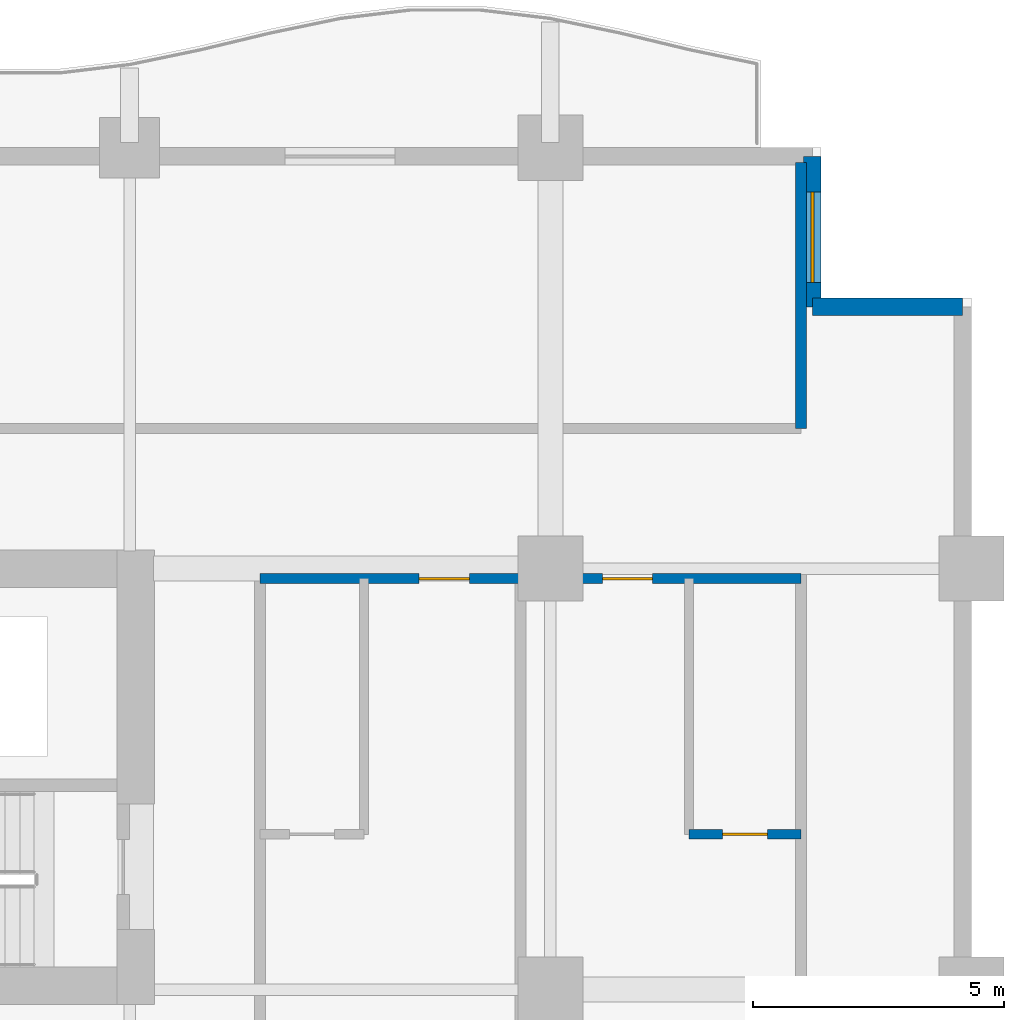
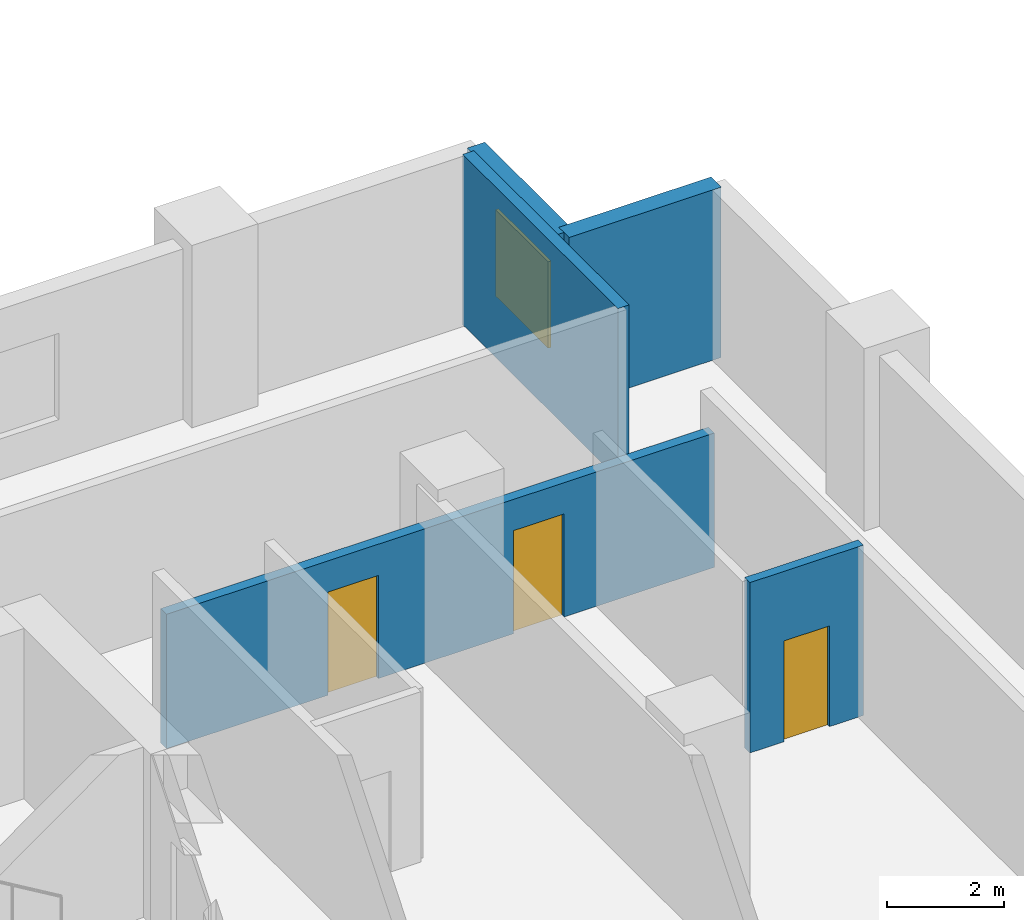
# One storey, part 10 of 18: 5 walls, 3 doors, 1 window, 4 openings.
"""IFC4 building model written with IfcOpenShell, lengths in metres."""

import ifcopenshell
import ifcopenshell.guid

model = None  # the IFC model being written
_history = None  # IfcOwnerHistory: only IFC2X3 demands one
_inside = {}  # id of a spatial element -> (the spatial element, [elements in it])
_under = {}  # id of a project, library or spatial element -> (it, [spatial elements below it])
_declared = {}  # id of a project -> (the project, [libraries it declares])
_typed = {}  # id of a type object -> (the type object, [elements of that type])
_made_of = {}  # id of a material, layer set ... -> (it, [elements and type objects made of it])


def new_model(schema):
    """Start an empty IFC model of exactly this schema.

    Asked for "IFC4X3", IfcOpenShell would pick the latest addendum, in which some entities
    have other attributes; the version numbers below select the first issue.
    IFC2X3 requires an IfcOwnerHistory on every rooted entity: one is made here for all.
    """
    global model, _history
    if schema == "IFC4X3":
        model = ifcopenshell.file(schema_version=(4, 3, 0, 0))
    else:
        model = ifcopenshell.file(schema=schema)
    _inside.clear()
    _under.clear()
    _declared.clear()
    _typed.clear()
    _made_of.clear()
    _history = None
    if model.schema == "IFC2X3":
        org = make("IfcOrganization", Name="unknown")
        user = make(
            "IfcPersonAndOrganization",
            ThePerson=make("IfcPerson", FamilyName="unknown"),
            TheOrganization=org,
        )
        app = make(
            "IfcApplication",
            ApplicationDeveloper=org,
            Version="unknown",
            ApplicationFullName="unknown",
            ApplicationIdentifier="unknown",
        )
        _history = make(
            "IfcOwnerHistory",
            OwningUser=user,
            OwningApplication=app,
            ChangeAction="ADDED",
            CreationDate=0,
        )
    return model


def make(cls, **values):
    """One entity of the class cls with the attributes given. An attribute that is None is left unset."""
    return model.create_entity(
        cls, **{name: value for name, value in values.items() if value is not None}
    )


def rooted(cls, **values):
    """An entity with a GlobalId (a new one), such as an element, a storey or a relation."""
    return make(cls, GlobalId=ifcopenshell.guid.new(), OwnerHistory=_history, **values)


def si_unit(unit_type, name, prefix=None):
    """IfcSIUnit, for example si_unit("LENGTHUNIT", "METRE", prefix="MILLI")."""
    return make("IfcSIUnit", UnitType=unit_type, Prefix=prefix, Name=name)


def assignment(units):
    """IfcUnitAssignment: the units of a project."""
    return None if units is None else make("IfcUnitAssignment", Units=units)


def point(xyz):
    """IfcCartesianPoint."""
    return None if xyz is None else make("IfcCartesianPoint", Coordinates=xyz)


def direction(xyz):
    """IfcDirection."""
    return None if xyz is None else make("IfcDirection", DirectionRatios=xyz)


def frame(location, z_axis=None, x_axis=None):
    """IfcAxis2Placement3D, a coordinate frame: its origin and axes. An axis left out is left unset."""
    return make(
        "IfcAxis2Placement3D",
        Location=point(location),
        Axis=direction(z_axis),
        RefDirection=direction(x_axis),
    )


def frame_2d(location, x_axis=None):
    """IfcAxis2Placement2D, a coordinate frame in the plane: its origin and x axis."""
    return make(
        "IfcAxis2Placement2D", Location=point(location), RefDirection=direction(x_axis)
    )


def origin():
    """The frame at (0, 0, 0) with its axes left unset."""
    return frame((0.0, 0.0, 0.0))


def place(relative_to, where):
    """IfcLocalPlacement: puts the frame where relative to a parent placement (None: the world)."""
    return make(
        "IfcLocalPlacement", PlacementRelTo=relative_to, RelativePlacement=where
    )


def context(
    kind, dimensions, precision=None, world=None, true_north=None, identifier=None
):
    """IfcGeometricRepresentationContext, for example the 3D "Model" context."""
    return make(
        "IfcGeometricRepresentationContext",
        ContextIdentifier=identifier,
        ContextType=kind,
        CoordinateSpaceDimension=dimensions,
        Precision=precision,
        WorldCoordinateSystem=world,
        TrueNorth=true_north,
    )


def subcontext(parent, identifier, kind, view, scale=None):
    """IfcGeometricRepresentationSubContext, for example "Body" below "Model"."""
    return make(
        "IfcGeometricRepresentationSubContext",
        ContextIdentifier=identifier,
        ContextType=kind,
        ParentContext=parent,
        TargetScale=scale,
        TargetView=view,
    )


def project(units=None, contexts=None):
    """IfcProject with its units and contexts."""
    return rooted(
        "IfcProject",
        Name="project",
        RepresentationContexts=contexts,
        UnitsInContext=assignment(units),
    )


def spatial(cls, under=None, at=None, **own):
    """A site, building, storey or space (cls), placed at a placement, below another one or the project."""
    s = rooted(cls, ObjectPlacement=at, **own)
    if under is not None:
        _under.setdefault(under.id(), (under, []))[1].append(s)
    return s


def profile(cls, at=None, kind="AREA", **sizes):
    """A parametric profile (cls). Its sizes go by their IFC names, for example OverallWidth=200.0."""
    return make(cls, ProfileType=kind, Position=at, **sizes)


def rectangle(**sizes):
    """IfcRectangleProfileDef."""
    return profile("IfcRectangleProfileDef", **sizes)


def extrude(swept, where, along, depth):
    """IfcExtrudedAreaSolid: the profile swept, set in the frame where, extruded along a direction by depth."""
    return make(
        "IfcExtrudedAreaSolid",
        SweptArea=swept,
        Position=where,
        ExtrudedDirection=direction(along),
        Depth=depth,
    )


def shape(context_of_items, identifier, shape_type, items):
    """IfcShapeRepresentation: the items that make up one representation, for example the "Body"."""
    return make(
        "IfcShapeRepresentation",
        ContextOfItems=context_of_items,
        RepresentationIdentifier=identifier,
        RepresentationType=shape_type,
        Items=items,
    )


def material(Name=None, Category=None):
    """IfcMaterial."""
    return make("IfcMaterial", Name=Name, Category=Category)


def layer(
    of_material, thickness, ventilated=None, Name=None, Category=None, Priority=None
):
    """IfcMaterialLayer: one layer of a wall or slab, of a material (None: an air gap)."""
    return make(
        "IfcMaterialLayer",
        Material=of_material,
        LayerThickness=thickness,
        IsVentilated=ventilated,
        Name=Name,
        Category=Category,
        Priority=Priority,
    )


def layer_set(layers, Name=None):
    """IfcMaterialLayerSet."""
    return make("IfcMaterialLayerSet", MaterialLayers=layers, LayerSetName=Name)


def made_of(thing, what):
    """Note that an element or type object is made of a material, layer set ...; save() writes the relation."""
    if what is not None:
        _made_of.setdefault(what.id(), (what, []))[1].append(thing)
    return thing


def type_object(cls, material=None, **own):
    """A type object (cls), such as IfcWallType, which elements share."""
    return made_of(rooted(cls, **own), material)


def element(
    cls,
    number,
    at=None,
    inside=None,
    cuts=None,
    type_object=None,
    material=None,
    context=None,
    identifier="Body",
    shape_type=None,
    held_by="IfcProductDefinitionShape",
    body=None,
    shapes=None,
    **own,
):
    """One element of the class cls, such as IfcWall. Its Tag is "e" and its number.

    at: its placement. inside: the storey or other place that contains it. cuts: it is an
    opening in that element (IfcRelVoidsElement). A single representation is given by context,
    identifier, shape_type and body (its items); several are given by shapes. held_by: the class
    of the entity that holds the representations. save() writes the other relations.
    """
    e = rooted(cls, Tag="e%d" % number, ObjectPlacement=at, **own)
    if body is not None:
        shapes = [shape(context, identifier, shape_type, body)]
    if shapes is not None:
        e.Representation = make(held_by, Representations=shapes)
    if inside is not None:
        _inside.setdefault(inside.id(), (inside, []))[1].append(e)
    if cuts is not None:
        rooted(
            "IfcRelVoidsElement", RelatingBuildingElement=cuts, RelatedOpeningElement=e
        )
    if type_object is not None:
        _typed.setdefault(type_object.id(), (type_object, []))[1].append(e)
    return made_of(e, material)


def fill(opening, filler):
    """IfcRelFillsElement: the door or window that sits in an opening."""
    return rooted(
        "IfcRelFillsElement",
        RelatingOpeningElement=opening,
        RelatedBuildingElement=filler,
    )


def aggregate(whole, parts):
    """IfcRelAggregates: a whole, such as a stair, and the parts it consists of."""
    return rooted("IfcRelAggregates", RelatingObject=whole, RelatedObjects=parts)


def save(model, path):
    """Write the relations noted so far, then the file.

    IfcRelAggregates (storeys below a building ...), IfcRelContainedInSpatialStructure (elements
    in a storey), IfcRelDefinesByType, IfcRelAssociatesMaterial and IfcRelDeclares: one each for
    every whole, place, type object, material and project.
    """
    for whole, parts in _under.values():
        aggregate(whole, parts)
    for where, things in _inside.values():
        rooted(
            "IfcRelContainedInSpatialStructure",
            RelatedElements=things,
            RelatingStructure=where,
        )
    for kind, things in _typed.values():
        rooted("IfcRelDefinesByType", RelatedObjects=things, RelatingType=kind)
    for what, things in _made_of.values():
        rooted("IfcRelAssociatesMaterial", RelatedObjects=things, RelatingMaterial=what)
    for by, libraries in _declared.values():
        rooted("IfcRelDeclares", RelatingContext=by, RelatedDefinitions=libraries)
    model.write(path)


model = new_model("IFC4")

# Units and contexts
model_context = context("Model", 3, precision=1e-05, world=origin(), true_north=direction((0.0, 1.0)))
body_context = subcontext(model_context, "Body", "Model", "MODEL_VIEW")
ifc_project = project(units=[si_unit("LENGTHUNIT", "METRE"), si_unit("AREAUNIT", "SQUARE_METRE"), si_unit("VOLUMEUNIT", "CUBIC_METRE"), si_unit("PLANEANGLEUNIT", "RADIAN"), si_unit("MASSUNIT", "GRAM", prefix="KILO")], contexts=[model_context])

# Site, building, storey
site_placement = place(None, origin())
site = spatial("IfcSite", under=ifc_project, at=site_placement, CompositionType="ELEMENT")
building_placement = place(site_placement, origin())
building = spatial("IfcBuilding", under=site, at=building_placement, Name="Koriwani Terraces Tower", CompositionType="ELEMENT")
storey_placement = place(building_placement, frame((0.0, 0.0, 115.199951171875)))
storey = spatial("IfcBuildingStorey", under=building, at=storey_placement, Name="L27", CompositionType="ELEMENT", Elevation=115.199951171875)

# Wall, openings, doors
ifc_material_1 = material(Name="Autoclaved Cellular Concrete Blockwork", Category="masonry")
ifc_layer_1 = layer(ifc_material_1, 0.199951171875, Name="Autoclaved Cellular Concrete Blockwork")
ifc_layer_set_1 = layer_set([ifc_layer_1], Name="Autoclaved Cellular Concrete Blockwork")
wall_type_1 = type_object("IfcWallType", Name="WALL_CORRIDOR_200", PredefinedType="PARTITIONING", material=ifc_layer_set_1)
wall_1_placement = place(storey_placement, frame((61.39990234375, 25.0, 0.0), z_axis=(0.0, 0.0, 1.0), x_axis=(1.0, 0.0, 0.0)))
wall_1 = element("IfcWall", 1, at=wall_1_placement, inside=storey, type_object=wall_type_1, Name="L27 Interior Wall WCOR-L27-SE-0", PredefinedType="PARTITIONING", context=body_context, shape_type="SweptSolid", body=[
    extrude(rectangle(XDim=10.800048828125, YDim=0.199951171875, at=frame_2d((5.39990234375, 0.0))), origin(), (0.0, 0.0, 1.0), 2.800048828125),
])
opening_1_placement = place(wall_1_placement, frame((3.179931640625, 0.0, 0.0)))
opening_1 = element("IfcOpeningElement", 2, at=opening_1_placement, cuts=wall_1, Name="Opening D-05", PredefinedType="OPENING", context=body_context, shape_type="SweptSolid", body=[
    extrude(rectangle(XDim=1.0, YDim=2.14990234375, at=frame_2d((0.5, 1.074951171875))), frame((0.0, 0.10986328125, 0.0), z_axis=(0.0, -1.0, 0.0), x_axis=(1.0, 0.0, 0.0)), (0.0, 0.0, 1.0), 0.219970703125),
])
opening_2_placement = place(wall_1_placement, frame((6.840087890625, 0.0, 0.0)))
opening_2 = element("IfcOpeningElement", 3, at=opening_2_placement, cuts=wall_1, Name="Opening D-05", PredefinedType="OPENING", context=body_context, shape_type="SweptSolid", body=[
    extrude(rectangle(XDim=1.0, YDim=2.14990234375, at=frame_2d((0.5, 1.074951171875))), frame((0.0, 0.10986328125, 0.0), z_axis=(0.0, -1.0, 0.0), x_axis=(1.0, 0.0, 0.0)), (0.0, 0.0, 1.0), 0.219970703125),
])
ifc_material_2 = material(Name="Architectural Oak Fire Door", Category="wood")
door_type_1 = type_object("IfcDoorType", Name="DOOR_SUITE_ENTRY_1000X2150", OperationType="NOTDEFINED", PredefinedType="DOOR", material=ifc_material_2)
door_1_placement = place(opening_1_placement, origin())
door_1 = element("IfcDoor", 4, at=door_1_placement, inside=storey, type_object=door_type_1, Name="Luxury Hotel Suite 27SE1 Entrance Door", OperationType="SINGLE_SWING_LEFT", OverallHeight=2.14990234375, OverallWidth=1.0, PredefinedType="DOOR", context=body_context, shape_type="SweptSolid", body=[
    extrude(rectangle(XDim=1.0, YDim=2.14990234375, at=frame_2d((0.5, 1.074951171875))), frame((0.0, 0.02490234375, 0.0), z_axis=(0.0, -1.0, 0.0), x_axis=(1.0, 0.0, 0.0)), (0.0, 0.0, 1.0), 0.050048828125),
])
fill(opening_1, door_1)
door_2_placement = place(opening_2_placement, origin())
door_2 = element("IfcDoor", 5, at=door_2_placement, inside=storey, type_object=door_type_1, Name="Luxury Hotel Suite 27SE2 Entrance Door", OperationType="SINGLE_SWING_LEFT", OverallHeight=2.14990234375, OverallWidth=1.0, PredefinedType="DOOR", context=body_context, shape_type="SweptSolid", body=[
    extrude(rectangle(XDim=1.0, YDim=2.14990234375, at=frame_2d((0.5, 1.074951171875))), frame((0.0, 0.02490234375, 0.0), z_axis=(0.0, -1.0, 0.0), x_axis=(1.0, 0.0, 0.0)), (0.0, 0.0, 1.0), 0.050048828125),
])
fill(opening_2, door_2)

# Wall
ifc_layer_2 = layer(ifc_material_1, 0.219970703125, Name="Autoclaved Cellular Concrete Blockwork")
ifc_layer_set_2 = layer_set([ifc_layer_2], Name="Autoclaved Cellular Concrete Blockwork")
wall_type_2 = type_object("IfcWallType", Name="WALL_DEMISING_220", PredefinedType="PARTITIONING", material=ifc_layer_set_2)
wall_2_placement = place(storey_placement, frame((72.199951171875, 28.0, 0.0), z_axis=(0.0, 0.0, 1.0), x_axis=(0.0, 1.0, 0.0)))
element("IfcWall", 6, at=wall_2_placement, inside=storey, type_object=wall_type_2, Name="L27 Interior Wall WSEC-E-L27", PredefinedType="PARTITIONING", context=body_context, shape_type="SweptSolid", body=[
    extrude(rectangle(XDim=5.300048828125, YDim=0.219970703125, at=frame_2d((2.64990234375, 0.0))), origin(), (0.0, 0.0, 1.0), 3.550048828125),
])

# Wall, opening, window
ifc_material_3 = material(Name="Concrete C50/60", Category="concrete")
ifc_layer_3 = layer(ifc_material_3, 0.35009765625, Name="Concrete C50/60")
ifc_layer_set_3 = layer_set([ifc_layer_3], Name="Concrete C50/60")
wall_type_3 = type_object("IfcWallType", Name="WALL_EXT_BRUTALIST_350", PredefinedType="STANDARD", material=ifc_layer_set_3)
wall_3_placement = place(storey_placement, frame((72.425048828125, 33.425048828125, 0.0), z_axis=(0.0, 0.0, 1.0), x_axis=(0.0, -1.0, 0.0)))
wall_3 = element("IfcWall", 7, at=wall_3_placement, inside=storey, type_object=wall_type_3, Name="L27 Fair-Faced Brutalist Exterior Wall (N10)", PredefinedType="STANDARD", context=body_context, shape_type="SweptSolid", body=[
    extrude(rectangle(XDim=3.0, YDim=0.35009765625, at=frame_2d((1.5, 0.0))), origin(), (0.0, 0.0, 1.0), 3.550048828125),
])
opening_3_placement = place(wall_3_placement, frame((0.71240234375, 0.0, 0.85009765625)))
opening_3 = element("IfcOpeningElement", 8, at=opening_3_placement, cuts=wall_3, Name="Opening W-04", PredefinedType="OPENING", context=body_context, shape_type="SweptSolid", body=[
    extrude(rectangle(XDim=1.800048828125, YDim=1.800048828125, at=frame_2d((0.89990234375, 0.89990234375))), frame((0.0, 0.18505859375, 0.0), z_axis=(0.0, -1.0, 0.0), x_axis=(1.0, 0.0, 0.0)), (0.0, 0.0, 1.0), 0.3701171875),
])
ifc_material_4 = material(Name="Tempered Laminated Low-E Glass", Category="glass")
window_type = type_object("IfcWindowType", Name="WIN_RES_BED_1800X1800", PartitioningType="DOUBLE_PANEL_VERTICAL", PredefinedType="WINDOW", material=ifc_material_4)
window_placement = place(opening_3_placement, origin())
window = element("IfcWindow", 9, at=window_placement, inside=storey, type_object=window_type, Name="L27 Exterior Window (N10-R53)", OverallHeight=1.800048828125, OverallWidth=1.800048828125, PartitioningType="SINGLE_PANEL", PredefinedType="WINDOW", context=body_context, shape_type="SweptSolid", body=[
    extrude(rectangle(XDim=1.800048828125, YDim=1.800048828125, at=frame_2d((0.89990234375, 0.89990234375))), frame((0.0, 0.030029296875, 0.0), z_axis=(0.0, -1.0, 0.0), x_axis=(1.0, 0.0, 0.0)), (0.0, 0.0, 1.0), 0.06005859375),
])
fill(opening_3, window)

# Wall
wall_4_placement = place(storey_placement, frame((72.425048828125, 30.425048828125, 0.0), z_axis=(0.0, 0.0, 1.0), x_axis=(1.0, 0.0, 0.0)))
element("IfcWall", 10, at=wall_4_placement, inside=storey, type_object=wall_type_3, Name="L27 Fair-Faced Brutalist Exterior Wall (N11)", PredefinedType="STANDARD", context=body_context, shape_type="SweptSolid", body=[
    extrude(rectangle(XDim=3.0, YDim=0.35009765625, at=frame_2d((1.5, 0.0))), origin(), (0.0, 0.0, 1.0), 3.550048828125),
])

# Wall, opening, door
ifc_material_5 = material(Name="Fire-Rated Acoustic Gypsum Partition", Category="masonry")
ifc_layer_4 = layer(ifc_material_5, 0.179931640625, Name="Fire-Rated Acoustic Gypsum Partition")
ifc_layer_set_4 = layer_set([ifc_layer_4], Name="Fire-Rated Acoustic Gypsum Partition")
wall_type_4 = type_object("IfcWallType", Name="WALL_PLUMBING_180", PredefinedType="PLUMBINGWALL", material=ifc_layer_set_4)
wall_5_placement = place(storey_placement, frame((69.9599609375, 19.89990234375, 0.0), z_axis=(0.0, 0.0, 1.0), x_axis=(1.0, 0.0, 0.0)))
wall_5 = element("IfcWall", 11, at=wall_5_placement, inside=storey, type_object=wall_type_4, Name="L27 Interior Wall WBTH1-L27-SE-1", PredefinedType="PLUMBINGWALL", context=body_context, shape_type="SweptSolid", body=[
    extrude(rectangle(XDim=2.239990234375, YDim=0.179931640625, at=frame_2d((1.1201171875, 0.0))), origin(), (0.0, 0.0, 1.0), 3.550048828125),
])
opening_4_placement = place(wall_5_placement, frame((0.669921875, 0.0, 0.0)))
opening_4 = element("IfcOpeningElement", 12, at=opening_4_placement, cuts=wall_5, Name="Opening D-07", PredefinedType="OPENING", context=body_context, shape_type="SweptSolid", body=[
    extrude(rectangle(XDim=0.89990234375, YDim=2.10009765625, at=frame_2d((0.449951171875, 1.050048828125))), frame((0.0, 0.10009765625, 0.0), z_axis=(0.0, -1.0, 0.0), x_axis=(1.0, 0.0, 0.0)), (0.0, 0.0, 1.0), 0.199951171875),
])
door_type_2 = type_object("IfcDoorType", Name="DOOR_BATH_INT_900X2100", OperationType="NOTDEFINED", PredefinedType="DOOR", material=ifc_material_2)
door_3_placement = place(opening_4_placement, origin())
door_3 = element("IfcDoor", 13, at=door_3_placement, inside=storey, type_object=door_type_2, Name="En-Suite Bathroom 27SE2 Door", OperationType="SINGLE_SWING_RIGHT", OverallHeight=2.10009765625, OverallWidth=0.89990234375, PredefinedType="DOOR", context=body_context, shape_type="SweptSolid", body=[
    extrude(rectangle(XDim=0.89990234375, YDim=2.10009765625, at=frame_2d((0.449951171875, 1.050048828125))), frame((0.0, 0.02490234375, 0.0), z_axis=(0.0, -1.0, 0.0), x_axis=(1.0, 0.0, 0.0)), (0.0, 0.0, 1.0), 0.050048828125),
])
fill(opening_4, door_3)

save(model, "model.ifc")
